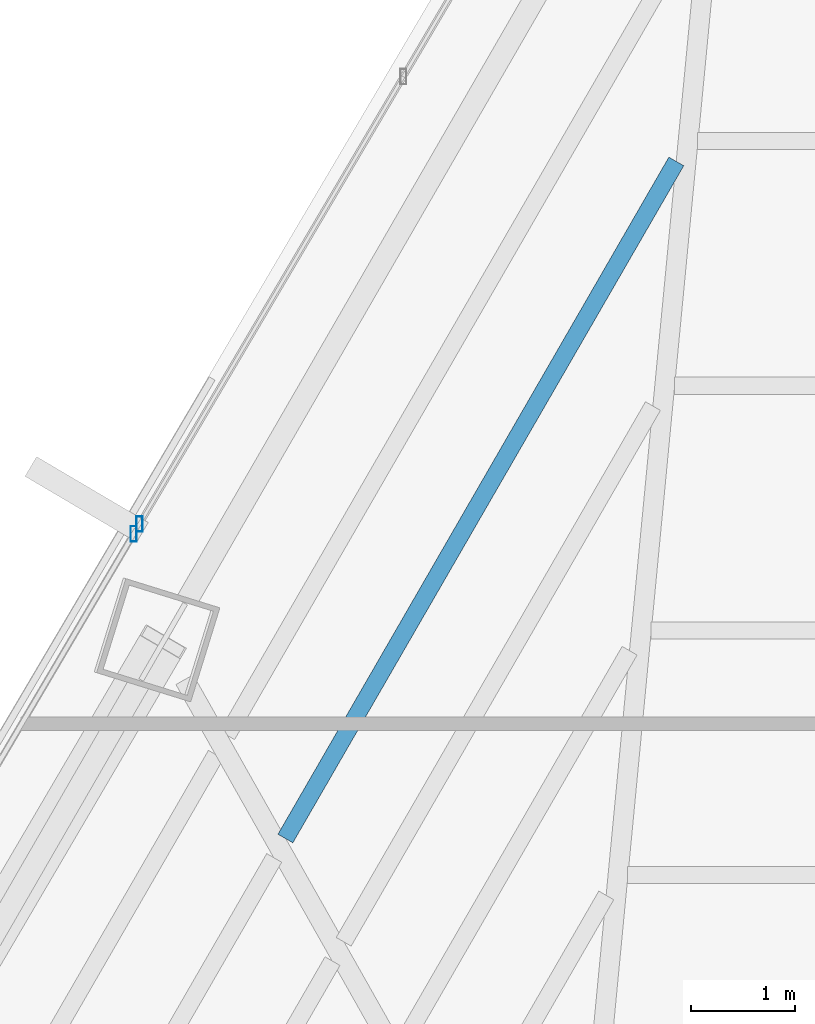
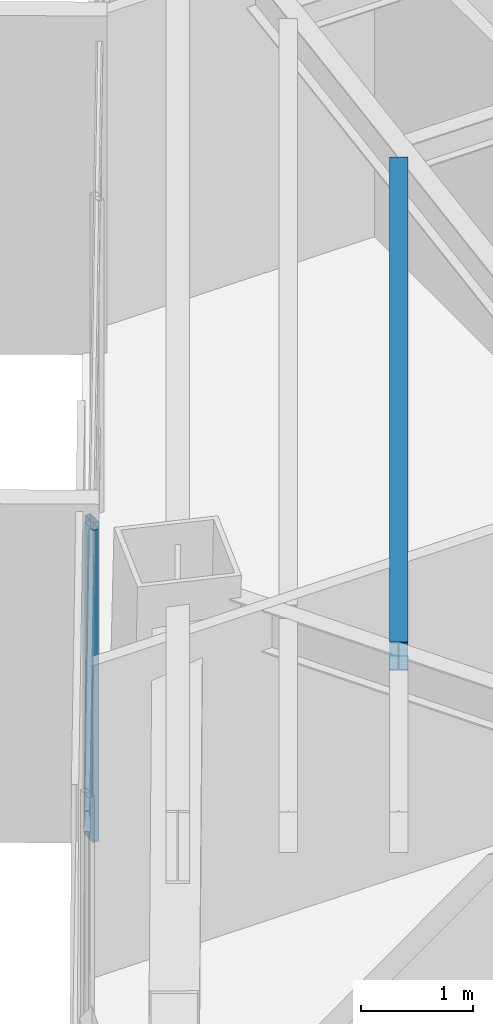
# One storey, part 25 of 41: 2 members, 1 beam, 2 elements without a shape of their own.
"""IFC4 building model written with IfcOpenShell, lengths in metres."""

from ifc_helpers import new_model, si_unit, direction, frame, origin, origin_2d, place, context, subcontext, project, spatial, hollow_rectangle, i_section, extrude, source, transform, mapped, material, material_profile, profile_set, type_object, type_shapes, element, aggregate, save


model = new_model("IFC4")

# Units and contexts
model_context = context("Model", 3, precision=1e-05, world=origin(), true_north=direction((0.0, 1.0)))
body_context = subcontext(model_context, "Body", "Model", "MODEL_VIEW")
ifc_project = project(units=[si_unit("LENGTHUNIT", "METRE"), si_unit("AREAUNIT", "SQUARE_METRE"), si_unit("VOLUMEUNIT", "CUBIC_METRE"), si_unit("PLANEANGLEUNIT", "RADIAN"), si_unit("MASSUNIT", "GRAM", prefix="KILO")], contexts=[model_context])

# Site, building, storey
site_placement = place(None, origin())
site = spatial("IfcSite", under=ifc_project, at=site_placement, CompositionType="ELEMENT")
building_placement = place(site_placement, origin())
building = spatial("IfcBuilding", under=site, at=building_placement, Name="Caelisora Broadcast Tower", CompositionType="ELEMENT")
storey_placement = place(building_placement, frame((0.0, 0.0, 165.800048828125)))
storey = spatial("IfcBuildingStorey", under=building, at=storey_placement, Name="L43", CompositionType="ELEMENT", Elevation=165.800048828125)

# Beam
ifc_material_1 = material(Name="Steel Grade 350 (AS/NZS 3679.1)", Category="steel")
ifc_material_profile_1 = material_profile(ifc_material_1, i_section(OverallWidth=0.166015625, OverallDepth=0.30712890625, WebThickness=0.006591796875, FlangeThickness=0.01171875, at=origin_2d()), Name="Steel Grade 350 (AS/NZS 3679.1)")
ifc_profile_set_1 = profile_set([ifc_material_profile_1], Name="Steel Grade 350 (AS/NZS 3679.1)")
beam_type = type_object("IfcBeamType", Name="SB03", PredefinedType="JOIST", material=ifc_profile_set_1)
shared_shape_1 = source(origin(), body_context, "Body", "SweptSolid", [
    extrude(i_section(OverallWidth=0.166015625, OverallDepth=0.30712890625, WebThickness=0.006591796875, FlangeThickness=0.01171875, at=origin_2d()), origin(), (0.0, 0.0, 1.0), 7.54248046875),
])
type_shapes(beam_type, [shared_shape_1])
beam_placement = place(storey_placement, frame((31.512939453125, 41.6044921875, 3.246337890625), z_axis=(-0.499999843364, -0.866025494218, 0.0), x_axis=(0.866025494218, -0.499999843364, 0.0)))
element("IfcBeam", 1, at=beam_placement, inside=storey, type_object=beam_type, Name="L43 beam SB03", PredefinedType="JOIST", context=body_context, shape_type="MappedRepresentation", body=[
    mapped(shared_shape_1, transform((0.0, 0.0, 0.0), scale=1.0)),
])

# Curtain wall, member
ifc_material_2 = material(Name="Unitised Aluminium Insulated Shadow-Box Spandrel Curtain Wall", Category="aluminium")
curtain_wall_type_1 = type_object("IfcCurtainWallType", Name="CW-SP2", PredefinedType="NOTDEFINED", material=ifc_material_2)
curtain_wall_1_placement = place(storey_placement, origin())
curtain_wall_1 = element("IfcCurtainWall", 2, at=curtain_wall_1_placement, inside=storey, type_object=curtain_wall_type_1, Name="L43 curtain wall CW-SP2", PredefinedType="NOTDEFINED")
ifc_material_3 = material(Name="Aluminium 6063-T6 Anodised Terracotta Bronze", Category="aluminium")
ifc_material_profile_2 = material_profile(ifc_material_3, hollow_rectangle(XDim=0.06005859375, YDim=0.14990234375, WallThickness=0.00341796875, at=origin_2d()), Name="Aluminium 6063-T6 Anodised Terracotta Bronze")
ifc_profile_set_2 = profile_set([ifc_material_profile_2], Name="Aluminium 6063-T6 Anodised Terracotta Bronze")
member_type = type_object("IfcMemberType", Name="CWM-03", PredefinedType="MULLION", material=ifc_profile_set_2)
shared_shape_2 = source(origin(), body_context, "Body", "SweptSolid", [
    extrude(hollow_rectangle(XDim=0.06005859375, YDim=0.14990234375, WallThickness=0.00341796875, at=origin_2d()), origin(), (0.0, 0.0, 1.0), 3.39990234375),
])
type_shapes(member_type, [shared_shape_2])
member_1_placement = place(storey_placement, frame((26.27880859375, 38.01220703125, 0.0), z_axis=(0.0, 0.0, 1.0), x_axis=(1.0, 0.0, 0.0)))
member_1 = element("IfcMember", 3, at=member_1_placement, type_object=member_type, Name="L43-CW-B10 mullion #3", PredefinedType="MULLION", context=body_context, shape_type="MappedRepresentation", body=[
    mapped(shared_shape_2, transform((0.0, 0.0, 0.0), scale=1.0)),
])
aggregate(curtain_wall_1, [member_1])

ifc_material_4 = material(Name="Unitised Aluminium and Low-E Glass Curtain Wall", Category="glass")
curtain_wall_type_2 = type_object("IfcCurtainWallType", Name="CW-Z3", PredefinedType="NOTDEFINED", material=ifc_material_4)
curtain_wall_2_placement = place(storey_placement, origin())
curtain_wall_2 = element("IfcCurtainWall", 4, at=curtain_wall_2_placement, inside=storey, type_object=curtain_wall_type_2, Name="L43 curtain wall CW-Z3", PredefinedType="NOTDEFINED")
member_2_placement = place(storey_placement, frame((26.334716796875, 38.10693359375, 0.0), z_axis=(0.0, 0.0, 1.0), x_axis=(1.0, 0.0, 0.0)))
member_2 = element("IfcMember", 5, at=member_2_placement, type_object=member_type, Name="L43-CW-B11 mullion #0", PredefinedType="MULLION", context=body_context, shape_type="MappedRepresentation", body=[
    mapped(shared_shape_2, transform((0.0, 0.0, 0.0), scale=1.0)),
])
aggregate(curtain_wall_2, [member_2])

save(model, "model.ifc")
